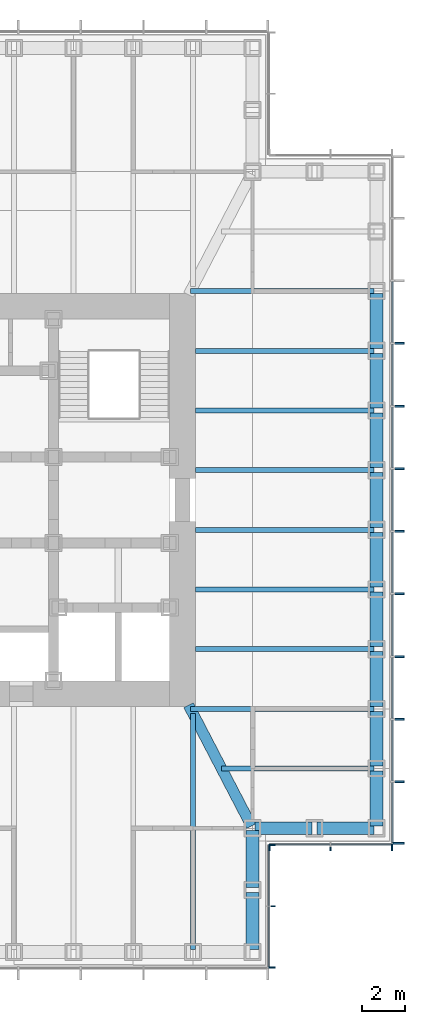
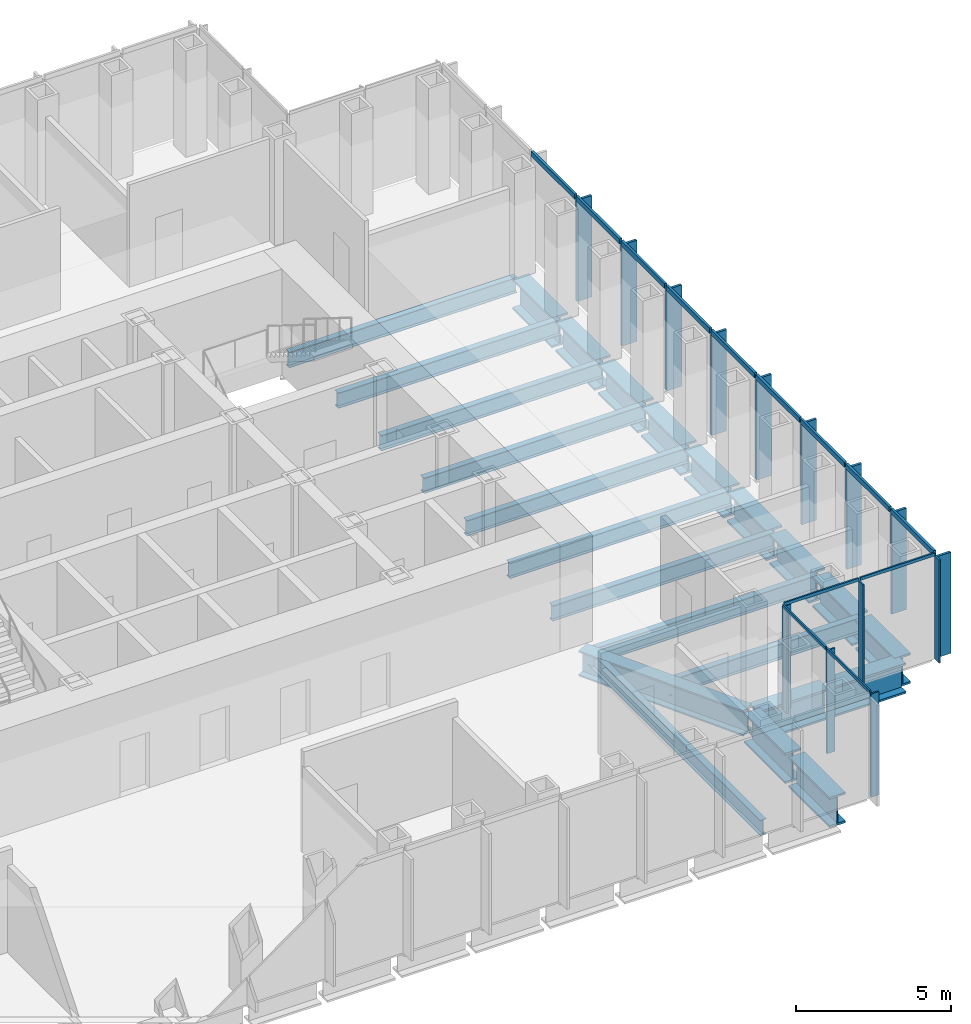
# One storey, part 4 of 16: 28 members, 24 beams, 3 elements without a shape of their own.
"""IFC4 building model written with IfcOpenShell, lengths in metres."""

from ifc_helpers import new_model, si_unit, direction, frame, origin, origin_2d, place, context, subcontext, project, spatial, rectangle, i_section, extrude, material, material_profile, profile_set, type_object, element, aggregate, save


model = new_model("IFC4")

# Units and contexts
model_context = context("Model", 3, precision=1e-05, world=origin(), true_north=direction((0.0, 1.0)))
body_context = subcontext(model_context, "Body", "Model", "MODEL_VIEW")
ifc_project = project(units=[si_unit("LENGTHUNIT", "METRE"), si_unit("AREAUNIT", "SQUARE_METRE"), si_unit("VOLUMEUNIT", "CUBIC_METRE"), si_unit("PLANEANGLEUNIT", "RADIAN"), si_unit("MASSUNIT", "GRAM", prefix="KILO")], contexts=[model_context])

# Site, building, storey
site_placement = place(None, origin())
site = spatial("IfcSite", under=ifc_project, at=site_placement, CompositionType="ELEMENT")
building_placement = place(site_placement, origin())
building = spatial("IfcBuilding", under=site, at=building_placement, Name="Daluyong Arena Tower", CompositionType="ELEMENT")
storey_placement = place(building_placement, frame((0.0, 0.0, 258.699951171875)))
storey = spatial("IfcBuildingStorey", under=building, at=storey_placement, Name="L58", CompositionType="ELEMENT", Elevation=258.699951171875)

# Curtain wall, members
ifc_material_1 = material(Name="Bronze anodised aluminium and glass", Category="aluminium")
curtain_wall_type_1 = type_object("IfcCurtainWallType", Name="Curtain wall CW4", PredefinedType="USERDEFINED", material=ifc_material_1)
curtain_wall_1_placement = place(storey_placement, origin())
curtain_wall_1 = element("IfcCurtainWall", 1, at=curtain_wall_1_placement, inside=storey, type_object=curtain_wall_type_1, Name="curtain wall L58 E", ObjectType="UNITISED CURTAIN WALL", PredefinedType="USERDEFINED")
ifc_material_2 = material(Name="Bronze anodised aluminium fin", Category="aluminium")
ifc_material_profile_1 = material_profile(ifc_material_2, rectangle(XDim=0.550048828125, YDim=0.090087890625, at=origin_2d()))
ifc_profile_set_1 = profile_set([ifc_material_profile_1], Name="Bronze anodised aluminium fin")
member_type_1 = type_object("IfcMemberType", Name="CW4 bronze fin 550x90", PredefinedType="MULLION", material=ifc_profile_set_1)
member_1_placement = place(storey_placement, frame((78.02490234375, 64.044921875, 0.0), z_axis=(0.0, 0.0, 1.0), x_axis=(-1.0, 0.0, 0.0)))
member_1 = element("IfcMember", 2, at=member_1_placement, type_object=member_type_1, Name="curtain wall L58 E fin 1", PredefinedType="MULLION", context=body_context, shape_type="SweptSolid", body=[
    extrude(rectangle(XDim=0.550048828125, YDim=0.090087890625, at=origin_2d()), origin(), (0.0, 0.0, 1.0), 4.0),
])
member_2_placement = place(storey_placement, frame((78.02490234375, 66.9091796875, 0.0), z_axis=(0.0, 0.0, 1.0), x_axis=(-1.0, 0.0, 0.0)))
member_2 = element("IfcMember", 3, at=member_2_placement, type_object=member_type_1, Name="curtain wall L58 E fin 2", PredefinedType="MULLION", context=body_context, shape_type="SweptSolid", body=[
    extrude(rectangle(XDim=0.550048828125, YDim=0.090087890625, at=origin_2d()), origin(), (0.0, 0.0, 1.0), 4.0),
])
member_3_placement = place(storey_placement, frame((78.02490234375, 69.818115234375, 0.0), z_axis=(0.0, 0.0, 1.0), x_axis=(-1.0, 0.0, 0.0)))
member_3 = element("IfcMember", 4, at=member_3_placement, type_object=member_type_1, Name="curtain wall L58 E fin 3", PredefinedType="MULLION", context=body_context, shape_type="SweptSolid", body=[
    extrude(rectangle(XDim=0.550048828125, YDim=0.090087890625, at=origin_2d()), origin(), (0.0, 0.0, 1.0), 4.0),
])
member_4_placement = place(storey_placement, frame((78.02490234375, 72.727294921875, 0.0), z_axis=(0.0, 0.0, 1.0), x_axis=(-1.0, 0.0, 0.0)))
member_4 = element("IfcMember", 5, at=member_4_placement, type_object=member_type_1, Name="curtain wall L58 E fin 4", PredefinedType="MULLION", context=body_context, shape_type="SweptSolid", body=[
    extrude(rectangle(XDim=0.550048828125, YDim=0.090087890625, at=origin_2d()), origin(), (0.0, 0.0, 1.0), 4.0),
])
member_5_placement = place(storey_placement, frame((78.02490234375, 75.636474609375, 0.0), z_axis=(0.0, 0.0, 1.0), x_axis=(-1.0, 0.0, 0.0)))
member_5 = element("IfcMember", 6, at=member_5_placement, type_object=member_type_1, Name="curtain wall L58 E fin 5", PredefinedType="MULLION", context=body_context, shape_type="SweptSolid", body=[
    extrude(rectangle(XDim=0.550048828125, YDim=0.090087890625, at=origin_2d()), origin(), (0.0, 0.0, 1.0), 4.0),
])
member_6_placement = place(storey_placement, frame((78.02490234375, 78.54541015625, 0.0), z_axis=(0.0, 0.0, 1.0), x_axis=(-1.0, 0.0, 0.0)))
member_6 = element("IfcMember", 7, at=member_6_placement, type_object=member_type_1, Name="curtain wall L58 E fin 6", PredefinedType="MULLION", context=body_context, shape_type="SweptSolid", body=[
    extrude(rectangle(XDim=0.550048828125, YDim=0.090087890625, at=origin_2d()), origin(), (0.0, 0.0, 1.0), 4.0),
])
member_7_placement = place(storey_placement, frame((78.02490234375, 81.45458984375, 0.0), z_axis=(0.0, 0.0, 1.0), x_axis=(-1.0, 0.0, 0.0)))
member_7 = element("IfcMember", 8, at=member_7_placement, type_object=member_type_1, Name="curtain wall L58 E fin 7", PredefinedType="MULLION", context=body_context, shape_type="SweptSolid", body=[
    extrude(rectangle(XDim=0.550048828125, YDim=0.090087890625, at=origin_2d()), origin(), (0.0, 0.0, 1.0), 4.0),
])
member_8_placement = place(storey_placement, frame((78.02490234375, 84.363525390625, 0.0), z_axis=(0.0, 0.0, 1.0), x_axis=(-1.0, 0.0, 0.0)))
member_8 = element("IfcMember", 9, at=member_8_placement, type_object=member_type_1, Name="curtain wall L58 E fin 8", PredefinedType="MULLION", context=body_context, shape_type="SweptSolid", body=[
    extrude(rectangle(XDim=0.550048828125, YDim=0.090087890625, at=origin_2d()), origin(), (0.0, 0.0, 1.0), 4.0),
])
member_9_placement = place(storey_placement, frame((78.02490234375, 87.272705078125, 0.0), z_axis=(0.0, 0.0, 1.0), x_axis=(-1.0, 0.0, 0.0)))
member_9 = element("IfcMember", 10, at=member_9_placement, type_object=member_type_1, Name="curtain wall L58 E fin 9", PredefinedType="MULLION", context=body_context, shape_type="SweptSolid", body=[
    extrude(rectangle(XDim=0.550048828125, YDim=0.090087890625, at=origin_2d()), origin(), (0.0, 0.0, 1.0), 4.0),
])
ifc_material_3 = material(Name="Bronze anodised aluminium", Category="aluminium")
ifc_material_profile_2 = material_profile(ifc_material_3, rectangle(XDim=0.090087890625, YDim=0.199951171875, at=origin_2d()))
ifc_profile_set_2 = profile_set([ifc_material_profile_2], Name="Bronze anodised aluminium")
member_type_2 = type_object("IfcMemberType", Name="CW4 stack transom 200x90", PredefinedType="USERDEFINED", material=ifc_profile_set_2)
member_10_placement = place(storey_placement, frame((77.75, 64.090087890625, 4.10009765625), z_axis=(0.0, 1.0, 0.0), x_axis=(-1.0, 0.0, 0.0)))
member_10 = element("IfcMember", 11, at=member_10_placement, type_object=member_type_2, Name="curtain wall L58 E transom 1", ObjectType="TRANSOM", PredefinedType="USERDEFINED", context=body_context, shape_type="SweptSolid", body=[
    extrude(rectangle(XDim=0.090087890625, YDim=0.199951171875, at=origin_2d()), origin(), (0.0, 0.0, 1.0), 2.77392578125),
])
member_11_placement = place(storey_placement, frame((77.75, 66.9541015625, 4.10009765625), z_axis=(0.0, 1.0, 0.0), x_axis=(-1.0, 0.0, 0.0)))
member_11 = element("IfcMember", 12, at=member_11_placement, type_object=member_type_2, Name="curtain wall L58 E transom 2", ObjectType="TRANSOM", PredefinedType="USERDEFINED", context=body_context, shape_type="SweptSolid", body=[
    extrude(rectangle(XDim=0.090087890625, YDim=0.199951171875, at=origin_2d()), origin(), (0.0, 0.0, 1.0), 2.819091796875),
])
member_12_placement = place(storey_placement, frame((77.75, 69.86328125, 4.10009765625), z_axis=(0.0, 1.0, 0.0), x_axis=(-1.0, 0.0, 0.0)))
member_12 = element("IfcMember", 13, at=member_12_placement, type_object=member_type_2, Name="curtain wall L58 E transom 3", ObjectType="TRANSOM", PredefinedType="USERDEFINED", context=body_context, shape_type="SweptSolid", body=[
    extrude(rectangle(XDim=0.090087890625, YDim=0.199951171875, at=origin_2d()), origin(), (0.0, 0.0, 1.0), 2.819091796875),
])
member_13_placement = place(storey_placement, frame((77.75, 72.772216796875, 4.10009765625), z_axis=(0.0, 1.0, 0.0), x_axis=(-1.0, 0.0, 0.0)))
member_13 = element("IfcMember", 14, at=member_13_placement, type_object=member_type_2, Name="curtain wall L58 E transom 4", ObjectType="TRANSOM", PredefinedType="USERDEFINED", context=body_context, shape_type="SweptSolid", body=[
    extrude(rectangle(XDim=0.090087890625, YDim=0.199951171875, at=origin_2d()), origin(), (0.0, 0.0, 1.0), 2.819091796875),
])
member_14_placement = place(storey_placement, frame((77.75, 75.681396484375, 4.10009765625), z_axis=(0.0, 1.0, 0.0), x_axis=(-1.0, 0.0, 0.0)))
member_14 = element("IfcMember", 15, at=member_14_placement, type_object=member_type_2, Name="curtain wall L58 E transom 5", ObjectType="TRANSOM", PredefinedType="USERDEFINED", context=body_context, shape_type="SweptSolid", body=[
    extrude(rectangle(XDim=0.090087890625, YDim=0.199951171875, at=origin_2d()), origin(), (0.0, 0.0, 1.0), 2.819091796875),
])
member_15_placement = place(storey_placement, frame((77.75, 78.590576171875, 4.10009765625), z_axis=(0.0, 1.0, 0.0), x_axis=(-1.0, 0.0, 0.0)))
member_15 = element("IfcMember", 16, at=member_15_placement, type_object=member_type_2, Name="curtain wall L58 E transom 6", ObjectType="TRANSOM", PredefinedType="USERDEFINED", context=body_context, shape_type="SweptSolid", body=[
    extrude(rectangle(XDim=0.090087890625, YDim=0.199951171875, at=origin_2d()), origin(), (0.0, 0.0, 1.0), 2.81884765625),
])
member_16_placement = place(storey_placement, frame((77.75, 81.49951171875, 4.10009765625), z_axis=(0.0, 1.0, 0.0), x_axis=(-1.0, 0.0, 0.0)))
member_16 = element("IfcMember", 17, at=member_16_placement, type_object=member_type_2, Name="curtain wall L58 E transom 7", ObjectType="TRANSOM", PredefinedType="USERDEFINED", context=body_context, shape_type="SweptSolid", body=[
    extrude(rectangle(XDim=0.090087890625, YDim=0.199951171875, at=origin_2d()), origin(), (0.0, 0.0, 1.0), 2.819091796875),
])
member_17_placement = place(storey_placement, frame((77.75, 84.40869140625, 4.10009765625), z_axis=(0.0, 1.0, 0.0), x_axis=(-1.0, 0.0, 0.0)))
member_17 = element("IfcMember", 18, at=member_17_placement, type_object=member_type_2, Name="curtain wall L58 E transom 8", ObjectType="TRANSOM", PredefinedType="USERDEFINED", context=body_context, shape_type="SweptSolid", body=[
    extrude(rectangle(XDim=0.090087890625, YDim=0.199951171875, at=origin_2d()), origin(), (0.0, 0.0, 1.0), 2.819091796875),
])
member_18_placement = place(storey_placement, frame((77.75, 87.317626953125, 4.10009765625), z_axis=(0.0, 1.0, 0.0), x_axis=(-1.0, 0.0, 0.0)))
member_18 = element("IfcMember", 19, at=member_18_placement, type_object=member_type_2, Name="curtain wall L58 E transom 9", ObjectType="TRANSOM", PredefinedType="USERDEFINED", context=body_context, shape_type="SweptSolid", body=[
    extrude(rectangle(XDim=0.090087890625, YDim=0.199951171875, at=origin_2d()), origin(), (0.0, 0.0, 1.0), 2.819091796875),
])
aggregate(curtain_wall_1, [member_1, member_2, member_3, member_4, member_5, member_6, member_7, member_8, member_9, member_10, member_11, member_12, member_13, member_14, member_15, member_16, member_17, member_18])

ifc_material_4 = material(Name="Bronze anodised aluminium and glass", Category="aluminium")
curtain_wall_type_2 = type_object("IfcCurtainWallType", Name="Curtain wall CW7", PredefinedType="USERDEFINED", material=ifc_material_4)
curtain_wall_2_placement = place(storey_placement, origin())
curtain_wall_2 = element("IfcCurtainWall", 20, at=curtain_wall_2_placement, inside=storey, type_object=curtain_wall_type_2, Name="curtain wall L58 SE-E", ObjectType="UNITISED CURTAIN WALL", PredefinedType="USERDEFINED")
ifc_material_5 = material(Name="Bronze anodised aluminium fin", Category="aluminium")
ifc_material_profile_3 = material_profile(ifc_material_5, rectangle(XDim=0.300048828125, YDim=0.06005859375, at=origin_2d()))
ifc_profile_set_3 = profile_set([ifc_material_profile_3], Name="Bronze anodised aluminium fin")
member_type_3 = type_object("IfcMemberType", Name="CW7 bronze fin 300x60", PredefinedType="MULLION", material=ifc_profile_set_3)
member_19_placement = place(storey_placement, frame((72.14990234375, 58.280029296875, 0.0), z_axis=(0.0, 0.0, 1.0), x_axis=(-1.0, 0.0, 0.0)))
member_19 = element("IfcMember", 21, at=member_19_placement, type_object=member_type_3, Name="curtain wall L58 SE-E fin 1", PredefinedType="MULLION", context=body_context, shape_type="SweptSolid", body=[
    extrude(rectangle(XDim=0.300048828125, YDim=0.06005859375, at=origin_2d()), origin(), (0.0, 0.0, 1.0), 4.080078125),
])
member_20_placement = place(storey_placement, frame((72.14990234375, 61.125, 0.0), z_axis=(0.0, 0.0, 1.0), x_axis=(-1.0, 0.0, 0.0)))
member_20 = element("IfcMember", 22, at=member_20_placement, type_object=member_type_3, Name="curtain wall L58 SE-E fin 2", PredefinedType="MULLION", context=body_context, shape_type="SweptSolid", body=[
    extrude(rectangle(XDim=0.300048828125, YDim=0.06005859375, at=origin_2d()), origin(), (0.0, 0.0, 1.0), 4.080078125),
])
member_21_placement = place(storey_placement, frame((72.14990234375, 63.969970703125, 0.0), z_axis=(0.0, 0.0, 1.0), x_axis=(-1.0, 0.0, 0.0)))
member_21 = element("IfcMember", 23, at=member_21_placement, type_object=member_type_3, Name="curtain wall L58 SE-E fin 3", PredefinedType="MULLION", context=body_context, shape_type="SweptSolid", body=[
    extrude(rectangle(XDim=0.300048828125, YDim=0.06005859375, at=origin_2d()), origin(), (0.0, 0.0, 1.0), 4.080078125),
])

curtain_wall_3_placement = place(storey_placement, origin())
curtain_wall_3 = element("IfcCurtainWall", 24, at=curtain_wall_3_placement, inside=storey, type_object=curtain_wall_type_2, Name="curtain wall L58 SE-S", ObjectType="UNITISED CURTAIN WALL", PredefinedType="USERDEFINED")
member_22_placement = place(storey_placement, frame((72.030029296875, 63.85009765625, 0.0), z_axis=(0.0, 0.0, 1.0), x_axis=(0.0, 1.0, 0.0)))
member_22 = element("IfcMember", 25, at=member_22_placement, type_object=member_type_3, Name="curtain wall L58 SE-S fin 1", PredefinedType="MULLION", context=body_context, shape_type="SweptSolid", body=[
    extrude(rectangle(XDim=0.300048828125, YDim=0.06005859375, at=origin_2d()), origin(), (0.0, 0.0, 1.0), 4.080078125),
])
member_23_placement = place(storey_placement, frame((74.875, 63.85009765625, 0.0), z_axis=(0.0, 0.0, 1.0), x_axis=(0.0, 1.0, 0.0)))
member_23 = element("IfcMember", 26, at=member_23_placement, type_object=member_type_3, Name="curtain wall L58 SE-S fin 2", PredefinedType="MULLION", context=body_context, shape_type="SweptSolid", body=[
    extrude(rectangle(XDim=0.300048828125, YDim=0.06005859375, at=origin_2d()), origin(), (0.0, 0.0, 1.0), 4.080078125),
])
member_24_placement = place(storey_placement, frame((77.719970703125, 63.85009765625, 0.0), z_axis=(0.0, 0.0, 1.0), x_axis=(0.0, 1.0, 0.0)))
member_24 = element("IfcMember", 27, at=member_24_placement, type_object=member_type_3, Name="curtain wall L58 SE-S fin 3", PredefinedType="MULLION", context=body_context, shape_type="SweptSolid", body=[
    extrude(rectangle(XDim=0.300048828125, YDim=0.06005859375, at=origin_2d()), origin(), (0.0, 0.0, 1.0), 4.080078125),
])

# Member
ifc_material_6 = material(Name="Bronze anodised aluminium", Category="aluminium")
ifc_material_profile_4 = material_profile(ifc_material_6, rectangle(XDim=0.06005859375, YDim=0.1201171875, at=origin_2d()))
ifc_profile_set_4 = profile_set([ifc_material_profile_4], Name="Bronze anodised aluminium")
member_type_4 = type_object("IfcMemberType", Name="CW7 stack transom 120x60", PredefinedType="USERDEFINED", material=ifc_profile_set_4)
member_25_placement = place(storey_placement, frame((72.0, 58.31005859375, 4.14013671875), z_axis=(0.0, 1.0, 0.0), x_axis=(-1.0, 0.0, 0.0)))
member_25 = element("IfcMember", 28, at=member_25_placement, type_object=member_type_4, Name="curtain wall L58 SE-E transom 1", ObjectType="TRANSOM", PredefinedType="USERDEFINED", context=body_context, shape_type="SweptSolid", body=[
    extrude(rectangle(XDim=0.06005859375, YDim=0.1201171875, at=origin_2d()), origin(), (0.0, 0.0, 1.0), 2.784912109375),
])

member_26_placement = place(storey_placement, frame((72.0, 61.155029296875, 4.14013671875), z_axis=(0.0, 1.0, 0.0), x_axis=(-1.0, 0.0, 0.0)))
member_26 = element("IfcMember", 29, at=member_26_placement, type_object=member_type_4, Name="curtain wall L58 SE-E transom 2", ObjectType="TRANSOM", PredefinedType="USERDEFINED", context=body_context, shape_type="SweptSolid", body=[
    extrude(rectangle(XDim=0.06005859375, YDim=0.1201171875, at=origin_2d()), origin(), (0.0, 0.0, 1.0), 2.784912109375),
])

aggregate(curtain_wall_2, [member_19, member_20, member_21, member_25, member_26])

member_27_placement = place(storey_placement, frame((72.06005859375, 64.0, 4.14013671875), z_axis=(1.0, 0.0, 0.0), x_axis=(0.0, 1.0, 0.0)))
member_27 = element("IfcMember", 30, at=member_27_placement, type_object=member_type_4, Name="curtain wall L58 SE-S transom 1", ObjectType="TRANSOM", PredefinedType="USERDEFINED", context=body_context, shape_type="SweptSolid", body=[
    extrude(rectangle(XDim=0.06005859375, YDim=0.1201171875, at=origin_2d()), origin(), (0.0, 0.0, 1.0), 2.784912109375),
])

member_28_placement = place(storey_placement, frame((74.905029296875, 64.0, 4.14013671875), z_axis=(1.0, 0.0, 0.0), x_axis=(0.0, 1.0, 0.0)))
member_28 = element("IfcMember", 31, at=member_28_placement, type_object=member_type_4, Name="curtain wall L58 SE-S transom 2", ObjectType="TRANSOM", PredefinedType="USERDEFINED", context=body_context, shape_type="SweptSolid", body=[
    extrude(rectangle(XDim=0.06005859375, YDim=0.1201171875, at=origin_2d()), origin(), (0.0, 0.0, 1.0), 2.784912109375),
])

aggregate(curtain_wall_3, [member_22, member_23, member_24, member_27, member_28])

# Beams
ifc_material_7 = material(Name="Steel ASTM A572 Grade 50", Category="steel")
ifc_material_profile_5 = material_profile(ifc_material_7, i_section(OverallWidth=0.5, OverallDepth=1.0, WebThickness=0.03, FlangeThickness=0.06, at=origin_2d()))
ifc_profile_set_5 = profile_set([ifc_material_profile_5], Name="Steel ASTM A572 Grade 50")
beam_type_1 = type_object("IfcBeamType", Name="Corner girder TB1000X500", PredefinedType="BEAM", material=ifc_profile_set_5)
beam_1_placement = place(storey_placement, frame((71.197021484375, 64.85205078125, -0.659912109375), z_axis=(-0.461351522179, 0.887217432754, 0.0), x_axis=(-0.887217432754, -0.461351522179, 0.0)))
element("IfcBeam", 32, at=beam_1_placement, inside=storey, type_object=beam_type_1, Name="corner girder DG2", PredefinedType="BEAM", context=body_context, shape_type="SweptSolid", body=[
    extrude(i_section(OverallWidth=0.5, OverallDepth=1.0, WebThickness=0.03, FlangeThickness=0.06, at=origin_2d()), origin(), (0.0, 0.0, 1.0), 6.32958984375),
])
ifc_material_8 = material(Name="Steel ASTM A992 Grade 50", Category="steel")
ifc_material_profile_6 = material_profile(ifc_material_8, i_section(OverallWidth=0.22900390625, OverallDepth=0.612060546875, WebThickness=0.011962890625, FlangeThickness=0.01953125, at=origin_2d()))
ifc_profile_set_6 = profile_set([ifc_material_profile_6], Name="Steel ASTM A992 Grade 50")
beam_type_2 = type_object("IfcBeamType", Name="Floor beam W24X84", PredefinedType="BEAM", material=ifc_profile_set_6)
beam_2_placement = place(storey_placement, frame((68.477294921875, 59.114990234375, -0.466064453125), z_axis=(0.0, 1.0, 0.0), x_axis=(-1.0, 0.0, 0.0)))
element("IfcBeam", 33, at=beam_2_placement, inside=storey, type_object=beam_type_2, Name="floor beam FB3", PredefinedType="BEAM", context=body_context, shape_type="SweptSolid", body=[
    extrude(i_section(OverallWidth=0.22900390625, OverallDepth=0.612060546875, WebThickness=0.011962890625, FlangeThickness=0.01953125, at=origin_2d()), origin(), (0.0, 0.0, 1.0), 10.96728515625),
])
beam_3_placement = place(storey_placement, frame((76.885009765625, 67.522705078125, -0.466064453125), z_axis=(-1.0, 0.0, 0.0), x_axis=(0.0, -1.0, 0.0)))
element("IfcBeam", 34, at=beam_3_placement, inside=storey, type_object=beam_type_2, Name="floor beam FB3", PredefinedType="BEAM", context=body_context, shape_type="SweptSolid", body=[
    extrude(i_section(OverallWidth=0.22900390625, OverallDepth=0.612060546875, WebThickness=0.011962890625, FlangeThickness=0.01953125, at=origin_2d()), origin(), (0.0, 0.0, 1.0), 7.076904296875),
])
beam_4_placement = place(storey_placement, frame((76.885009765625, 70.29541015625, -0.466064453125), z_axis=(-1.0, 0.0, 0.0), x_axis=(0.0, -1.0, 0.0)))
element("IfcBeam", 35, at=beam_4_placement, inside=storey, type_object=beam_type_2, Name="floor beam FB3", PredefinedType="BEAM", context=body_context, shape_type="SweptSolid", body=[
    extrude(i_section(OverallWidth=0.22900390625, OverallDepth=0.612060546875, WebThickness=0.011962890625, FlangeThickness=0.01953125, at=origin_2d()), origin(), (0.0, 0.0, 1.0), 8.5185546875),
])
for number, where, z_axis, x_axis, name in (
    (36, (76.885009765625, 73.068115234375, -0.466064453125), (-1.0, 0.0, 0.0), (0.0, -1.0, 0.0), "floor beam FB3"),
    (37, (76.885009765625, 75.8408203125, -0.466064453125), (-1.0, 0.0, 0.0), (0.0, -1.0, 0.0), "floor beam FB3"),
    (38, (76.885009765625, 78.613525390625, -0.466064453125), (-1.0, 0.0, 0.0), (0.0, -1.0, 0.0), "floor beam FB3"),
    (39, (76.885009765625, 81.386474609375, -0.466064453125), (-1.0, 0.0, 0.0), (0.0, -1.0, 0.0), "floor beam FB3"),
    (40, (76.885009765625, 84.1591796875, -0.466064453125), (-1.0, 0.0, 0.0), (0.0, -1.0, 0.0), "floor beam FB3"),
    (41, (76.885009765625, 86.931884765625, -0.466064453125), (-1.0, 0.0, 0.0), (0.0, -1.0, 0.0), "floor beam FB3"),
):
    element("IfcBeam", number, at=place(storey_placement, frame(where, z_axis=z_axis, x_axis=x_axis)), inside=storey, type_object=beam_type_2, Name=name, PredefinedType="BEAM", context=body_context, shape_type="SweptSolid", body=[
        extrude(i_section(OverallWidth=0.22900390625, OverallDepth=0.612060546875, WebThickness=0.011962890625, FlangeThickness=0.01953125, at=origin_2d()), origin(), (0.0, 0.0, 1.0), 8.284912109375),
    ])
beam_5_placement = place(storey_placement, frame((76.885009765625, 89.70458984375, -0.466064453125), z_axis=(-1.0, 0.0, 0.0), x_axis=(0.0, -1.0, 0.0)))
element("IfcBeam", 42, at=beam_5_placement, inside=storey, type_object=beam_type_2, Name="floor beam FB3", PredefinedType="BEAM", context=body_context, shape_type="SweptSolid", body=[
    extrude(i_section(OverallWidth=0.22900390625, OverallDepth=0.612060546875, WebThickness=0.011962890625, FlangeThickness=0.01953125, at=origin_2d()), origin(), (0.0, 0.0, 1.0), 8.5185546875),
])
ifc_material_9 = material(Name="Steel ASTM A572 Grade 50", Category="steel")
ifc_material_profile_7 = material_profile(ifc_material_9, i_section(OverallWidth=0.60009765625, OverallDepth=1.199951171875, WebThickness=0.03, FlangeThickness=0.08, at=origin_2d()))
ifc_profile_set_7 = profile_set([ifc_material_profile_7], Name="Steel ASTM A572 Grade 50")
beam_type_3 = type_object("IfcBeamType", Name="Spandrel Z4 PG1200X600", PredefinedType="SPANDREL", material=ifc_profile_set_7)
for number, where, z_axis, x_axis, name in (
    (43, (71.25, 59.114990234375, -0.760009765625), (0.0, 1.0, 0.0), (-1.0, 0.0, 0.0), "spandrel z4 SB9"),
    (44, (71.25, 61.989990234375, -0.760009765625), (0.0, 1.0, 0.0), (-1.0, 0.0, 0.0), "spandrel z4 SB9"),
    (45, (71.364990234375, 64.75, -0.760009765625), (1.0, 0.0, 0.0), (0.0, 1.0, 0.0), "spandrel z4 SB9"),
    (46, (74.239990234375, 64.75, -0.760009765625), (1.0, 0.0, 0.0), (0.0, 1.0, 0.0), "spandrel z4 SB9"),
):
    element("IfcBeam", number, at=place(storey_placement, frame(where, z_axis=z_axis, x_axis=x_axis)), inside=storey, type_object=beam_type_3, Name=name, PredefinedType="SPANDREL", context=body_context, shape_type="SweptSolid", body=[
        extrude(i_section(OverallWidth=0.60009765625, OverallDepth=1.199951171875, WebThickness=0.03, FlangeThickness=0.08, at=origin_2d()), origin(), (0.0, 0.0, 1.0), 2.64501953125),
    ])
for number, where, z_axis, x_axis, name in (
    (47, (77.0, 64.864990234375, -0.760009765625), (0.0, 1.0, 0.0), (-1.0, 0.0, 0.0), "spandrel z4 SB9"),
    (48, (77.0, 67.6376953125, -0.760009765625), (0.0, 1.0, 0.0), (-1.0, 0.0, 0.0), "spandrel z4 SB9"),
    (49, (77.0, 70.410400390625, -0.760009765625), (0.0, 1.0, 0.0), (-1.0, 0.0, 0.0), "spandrel z4 SB9"),
    (50, (77.0, 73.18310546875, -0.760009765625), (0.0, 1.0, 0.0), (-1.0, 0.0, 0.0), "spandrel z4 SB9"),
    (51, (77.0, 75.955810546875, -0.760009765625), (0.0, 1.0, 0.0), (-1.0, 0.0, 0.0), "spandrel z4 SB9"),
):
    element("IfcBeam", number, at=place(storey_placement, frame(where, z_axis=z_axis, x_axis=x_axis)), inside=storey, type_object=beam_type_3, Name=name, PredefinedType="SPANDREL", context=body_context, shape_type="SweptSolid", body=[
        extrude(i_section(OverallWidth=0.60009765625, OverallDepth=1.199951171875, WebThickness=0.03, FlangeThickness=0.08, at=origin_2d()), origin(), (0.0, 0.0, 1.0), 2.542724609375),
    ])
beam_6_placement = place(storey_placement, frame((77.0, 78.728515625, -0.760009765625), z_axis=(0.0, 1.0, 0.0), x_axis=(-1.0, 0.0, 0.0)))
element("IfcBeam", 52, at=beam_6_placement, inside=storey, type_object=beam_type_3, Name="spandrel z4 SB9", PredefinedType="SPANDREL", context=body_context, shape_type="SweptSolid", body=[
    extrude(i_section(OverallWidth=0.60009765625, OverallDepth=1.199951171875, WebThickness=0.03, FlangeThickness=0.08, at=origin_2d()), origin(), (0.0, 0.0, 1.0), 2.54296875),
])
for number, where, z_axis, x_axis, name in (
    (53, (77.0, 81.50146484375, -0.760009765625), (0.0, 1.0, 0.0), (-1.0, 0.0, 0.0), "spandrel z4 SB9"),
    (54, (77.0, 84.274169921875, -0.760009765625), (0.0, 1.0, 0.0), (-1.0, 0.0, 0.0), "spandrel z4 SB9"),
    (55, (77.0, 87.046875, -0.760009765625), (0.0, 1.0, 0.0), (-1.0, 0.0, 0.0), "spandrel z4 SB9"),
):
    element("IfcBeam", number, at=place(storey_placement, frame(where, z_axis=z_axis, x_axis=x_axis)), inside=storey, type_object=beam_type_3, Name=name, PredefinedType="SPANDREL", context=body_context, shape_type="SweptSolid", body=[
        extrude(i_section(OverallWidth=0.60009765625, OverallDepth=1.199951171875, WebThickness=0.03, FlangeThickness=0.08, at=origin_2d()), origin(), (0.0, 0.0, 1.0), 2.542724609375),
    ])

save(model, "model.ifc")
